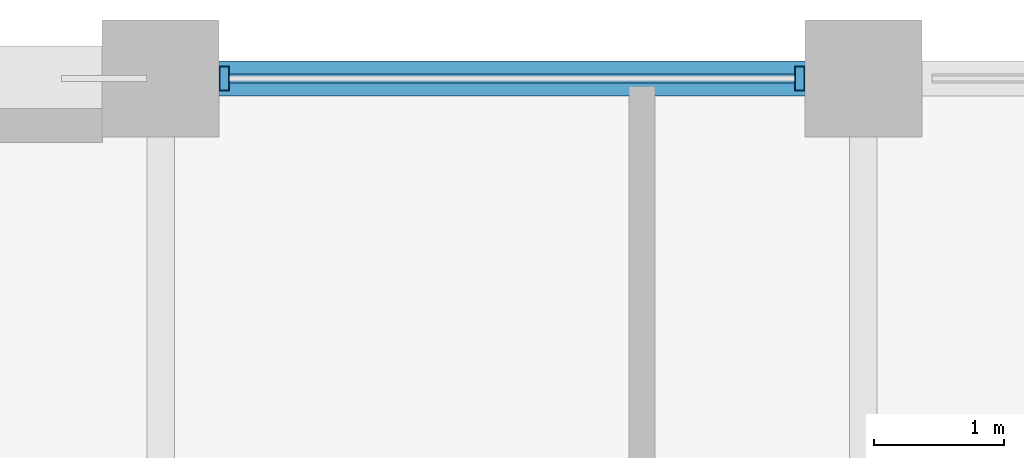
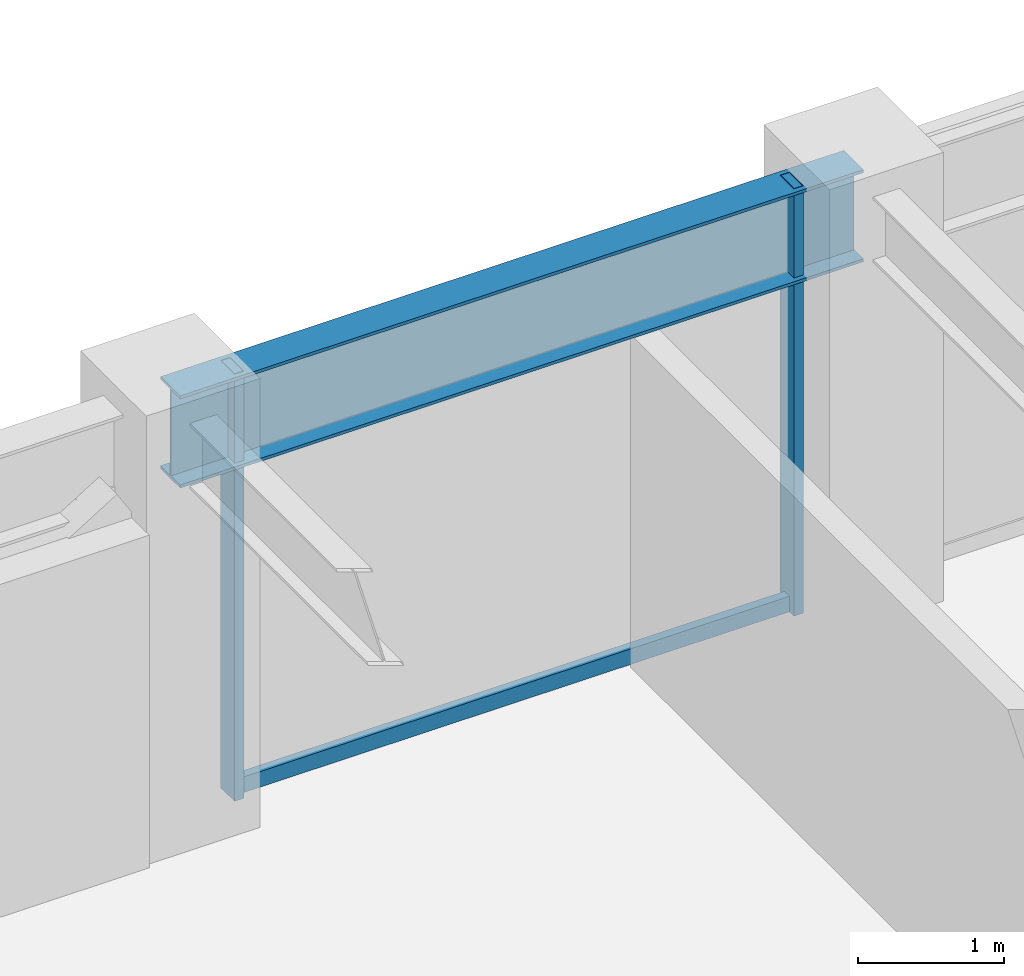
# One storey, part 23 of 32: 3 members, 1 beam, 1 element without a shape of its own.
"""IFC4 building model written with IfcOpenShell, lengths in metres."""

from ifc_helpers import new_model, si_unit, direction, frame, origin, origin_2d, place, context, subcontext, project, spatial, hollow_rectangle, i_section, extrude, material, layer, layer_set, material_profile, profile_set, type_object, element, aggregate, save


model = new_model("IFC4")

# Units and contexts
model_context = context("Model", 3, precision=1e-05, world=origin(), true_north=direction((0.0, 1.0)))
body_context = subcontext(model_context, "Body", "Model", "MODEL_VIEW")
ifc_project = project(units=[si_unit("LENGTHUNIT", "METRE"), si_unit("AREAUNIT", "SQUARE_METRE"), si_unit("VOLUMEUNIT", "CUBIC_METRE"), si_unit("PLANEANGLEUNIT", "RADIAN"), si_unit("MASSUNIT", "GRAM", prefix="KILO")], contexts=[model_context])

# Site, building, storey
site_placement = place(None, origin())
site = spatial("IfcSite", under=ifc_project, at=site_placement, CompositionType="ELEMENT")
building_placement = place(site_placement, origin())
building = spatial("IfcBuilding", under=site, at=building_placement, Name="Surkhivell Harbour Commons", CompositionType="ELEMENT")
storey_placement = place(building_placement, frame((0.0, 0.0, 212.25)))
storey = spatial("IfcBuildingStorey", under=building, at=storey_placement, Name="L55", CompositionType="ELEMENT", Elevation=212.25)

# Beam
ifc_material_1 = material(Name="Steel S355", Category="steel")
ifc_material_profile_1 = material_profile(ifc_material_1, i_section(OverallWidth=0.26806640625, OverallDepth=0.77001953125, WebThickness=0.015625, FlangeThickness=0.025390625, at=origin_2d()), Name="UB762x267x197")
ifc_profile_set_1 = profile_set([ifc_material_profile_1], Name="Steel S355")
beam_type = type_object("IfcBeamType", Name="BM-SPN-762", PredefinedType="SPANDREL", material=ifc_profile_set_1)
beam_placement = place(storey_placement, frame((5.39990234375, 25.89990234375, 3.18505859375), z_axis=(1.0, 0.0, 0.0), x_axis=(0.0, 1.0, 0.0)))
element("IfcBeam", 1, at=beam_placement, inside=storey, type_object=beam_type, Name="L55 Tube Spandrel (5.4,25.9)", PredefinedType="SPANDREL", context=body_context, shape_type="SweptSolid", body=[
    extrude(i_section(OverallWidth=0.26806640625, OverallDepth=0.77001953125, WebThickness=0.015625, FlangeThickness=0.025390625, at=origin_2d()), origin(), (0.0, 0.0, 1.0), 5.400146484375),
])

# Curtain wall, members
ifc_material_2 = material(Name="Anodised pale-metal aluminium and insulated glazing", Category="aluminium")
ifc_layer = layer(ifc_material_2, 0.18994140625)
ifc_layer_set = layer_set([ifc_layer], Name="Anodised pale-metal aluminium and insulated glazing")
curtain_wall_type = type_object("IfcCurtainWallType", Name="CW-SYS-Z3", PredefinedType="NOTDEFINED", material=ifc_layer_set)
curtain_wall_placement = place(storey_placement, origin())
curtain_wall = element("IfcCurtainWall", 2, at=curtain_wall_placement, inside=storey, type_object=curtain_wall_type, Name="L55 Curtain Wall CW-L55-E07S1", PredefinedType="NOTDEFINED")
ifc_material_3 = material(Name="Anodised pale-metal aluminium alloy 6063-T6", Category="aluminium")
ifc_material_profile_2 = material_profile(ifc_material_3, hollow_rectangle(XDim=0.074951171875, YDim=0.18994140625, WallThickness=0.00390625, at=origin_2d()), Name="ALU-MULL-75x190")
ifc_profile_set_2 = profile_set([ifc_material_profile_2], Name="Anodised pale-metal aluminium alloy 6063-T6")
member_type_1 = type_object("IfcMemberType", Name="CWM-190", PredefinedType="MULLION", material=ifc_profile_set_2)
member_1_placement = place(storey_placement, frame((10.310546875, 25.89990234375, 0.0), z_axis=(0.0, 0.0, 1.0), x_axis=(-1.0, 0.0, 0.0)))
member_1 = element("IfcMember", 3, at=member_1_placement, type_object=member_type_1, Name="CW-Z3 mullion 2", PredefinedType="MULLION", context=body_context, shape_type="SweptSolid", body=[
    extrude(hollow_rectangle(XDim=0.074951171875, YDim=0.18994140625, WallThickness=0.00390625, at=origin_2d()), origin(), (0.0, 0.0, 1.0), 3.570068359375),
])
member_2_placement = place(storey_placement, frame((5.889404296875, 25.89990234375, 0.0), z_axis=(0.0, 0.0, 1.0), x_axis=(-1.0, 0.0, 0.0)))
member_2 = element("IfcMember", 4, at=member_2_placement, type_object=member_type_1, Name="CW-Z3 mullion 3", PredefinedType="MULLION", context=body_context, shape_type="SweptSolid", body=[
    extrude(hollow_rectangle(XDim=0.074951171875, YDim=0.18994140625, WallThickness=0.00390625, at=origin_2d()), origin(), (0.0, 0.0, 1.0), 3.570068359375),
])
ifc_material_4 = material(Name="Champagne anodised aluminium alloy 6063-T6", Category="aluminium")
ifc_material_profile_3 = material_profile(ifc_material_4, hollow_rectangle(XDim=0.070068359375, YDim=0.1298828125, WallThickness=0.00341796875, at=origin_2d()), Name="ALU-TRAN-70x130")
ifc_profile_set_3 = profile_set([ifc_material_profile_3], Name="Champagne anodised aluminium alloy 6063-T6")
member_type_2 = type_object("IfcMemberType", Name="CWT-130", PredefinedType="USERDEFINED", material=ifc_profile_set_3)
member_3_placement = place(storey_placement, frame((10.27294921875, 25.89990234375, 0.06494140625), z_axis=(-1.0, 0.0, 0.0), x_axis=(0.0, -1.0, 0.0)))
member_3 = element("IfcMember", 5, at=member_3_placement, type_object=member_type_2, Name="CW-Z3 transom 2.1", ObjectType="TRANSOM", PredefinedType="USERDEFINED", context=body_context, shape_type="SweptSolid", body=[
    extrude(hollow_rectangle(XDim=0.070068359375, YDim=0.1298828125, WallThickness=0.00341796875, at=origin_2d()), origin(), (0.0, 0.0, 1.0), 4.345947265625),
])
aggregate(curtain_wall, [member_1, member_2, member_3])

save(model, "model.ifc")
